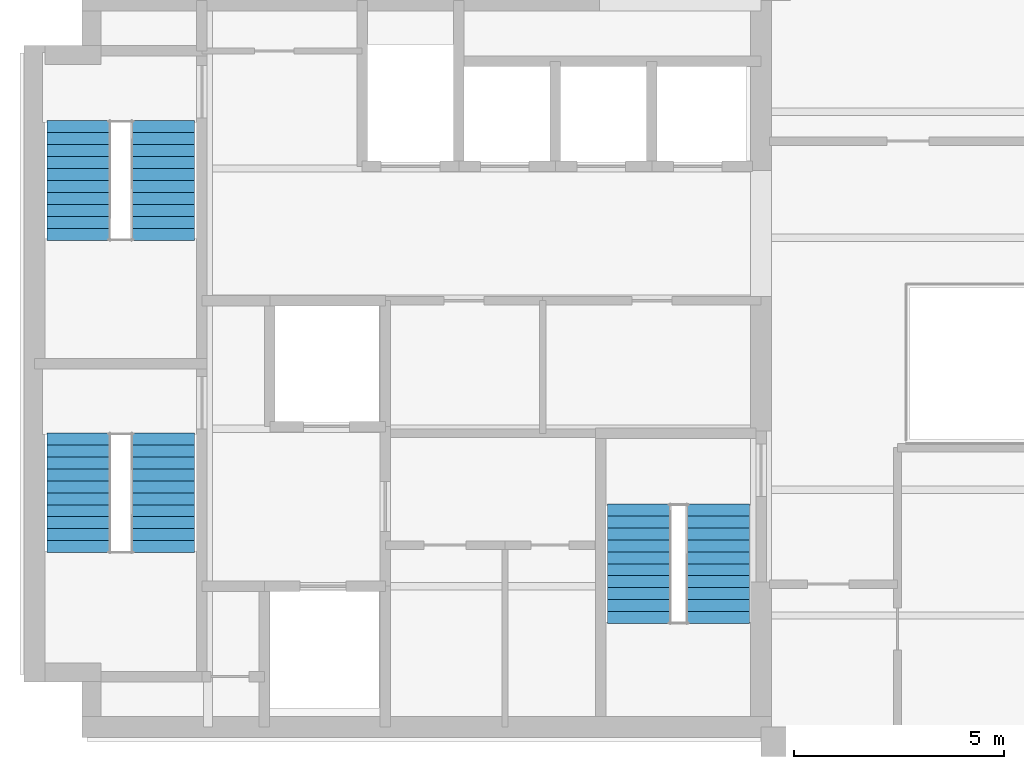
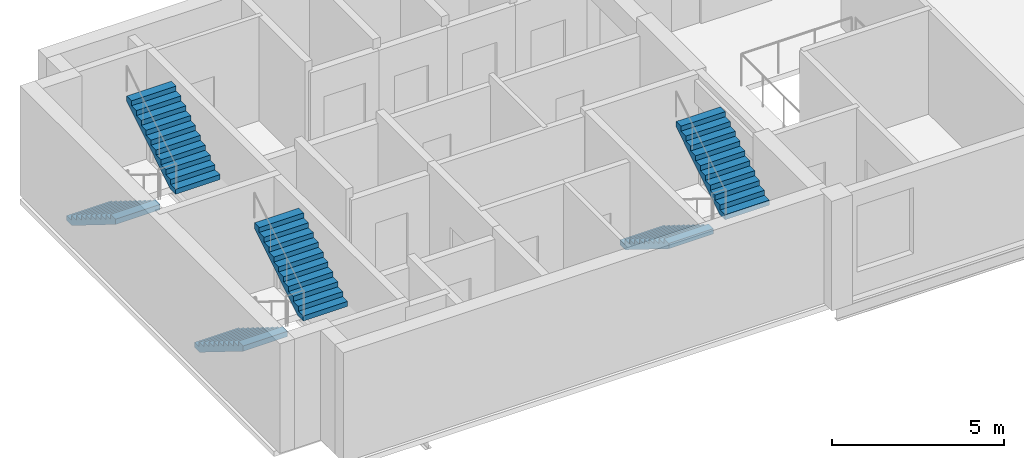
# One storey, part 4 of 5: 6 stair flights, 3 elements without a shape of their own.
"""IFC4 building model written with IfcOpenShell, lengths in metres."""

from ifc_helpers import new_model, si_unit, direction, frame, origin, place, context, subcontext, project, spatial, polyline, outline, extrude, material, type_object, element, aggregate, save


model = new_model("IFC4")

# Units and contexts
model_context = context("Model", 3, precision=1e-05, world=origin(), true_north=direction((0.0, 1.0)))
body_context = subcontext(model_context, "Body", "Model", "MODEL_VIEW")
ifc_project = project(units=[si_unit("LENGTHUNIT", "METRE"), si_unit("AREAUNIT", "SQUARE_METRE"), si_unit("VOLUMEUNIT", "CUBIC_METRE"), si_unit("PLANEANGLEUNIT", "RADIAN"), si_unit("MASSUNIT", "GRAM", prefix="KILO")], contexts=[model_context])

# Site, building, storey
site_placement = place(None, origin())
site = spatial("IfcSite", under=ifc_project, at=site_placement, CompositionType="ELEMENT")
building_placement = place(site_placement, origin())
building = spatial("IfcBuilding", under=site, at=building_placement, Name="Mawjdan Bourse Tower", CompositionType="ELEMENT")
storey_placement = place(building_placement, frame((0.0, 0.0, 305.39990234375)))
storey = spatial("IfcBuildingStorey", under=building, at=storey_placement, Name="L75", CompositionType="ELEMENT", Elevation=305.39990234375)

# Stair, stair flights
ifc_material = material(Name="Concrete C50/60", Category="concrete")
stair_type = type_object("IfcStairType", Name="STR-CORE-1500", PredefinedType="HALF_TURN_STAIR", material=ifc_material)
stair_1_placement = place(storey_placement, origin())
stair_1 = element("IfcStair", 1, at=stair_1_placement, inside=storey, type_object=stair_type, Name="L75 Exit Stair 1 (Core South-West)", PredefinedType="HALF_TURN_STAIR")
stair_flight_type = type_object("IfcStairFlightType", Name="SFL-RC-1500", PredefinedType="STRAIGHT", material=ifc_material)
stair_flight_1_placement = place(storey_placement, frame((7.389892578125, 10.35009765625, 0.0), z_axis=(0.0, 0.0, 1.0), x_axis=(0.0, -1.0, 0.0)))
stair_flight_1 = element("IfcStairFlight", 2, at=stair_flight_1_placement, type_object=stair_flight_type, Name="ST1-L75 flight 1", NumberOfRisers=11, NumberOfTreads=10, PredefinedType="STRAIGHT", RiserHeight=0.177273, TreadLength=0.285, context=body_context, shape_type="SweptSolid", body=[
    extrude(outline(polyline([(0.0, 0.0), (0.0, 0.17724609375), (0.284912109375, 0.17724609375), (0.284912109375, 0.3544921875), (0.570068359375, 0.3544921875), (0.570068359375, 0.53173828125), (0.85498046875, 0.53173828125), (0.85498046875, 0.708984375), (1.139892578125, 0.708984375), (1.139892578125, 0.886474609375), (1.425048828125, 0.886474609375), (1.425048828125, 1.063720703125), (1.7099609375, 1.063720703125), (1.7099609375, 1.240966796875), (1.9951171875, 1.240966796875), (1.9951171875, 1.418212890625), (2.280029296875, 1.418212890625), (2.280029296875, 1.595458984375), (2.56494140625, 1.595458984375), (2.56494140625, 1.772705078125), (2.85009765625, 1.772705078125), (2.85009765625, 1.949951171875), (2.85009765625, 1.58447265625), (0.302734375, 0.0), (0.0, 0.0)])), frame((0.0, 0.75, 0.0), z_axis=(0.0, -1.0, 0.0), x_axis=(1.0, 0.0, 0.0)), (0.0, 0.0, 1.0), 1.5),
])
stair_flight_2_placement = place(storey_placement, frame((9.409912109375, 7.5, 1.9501953125), z_axis=(0.0, 0.0, 1.0), x_axis=(0.0, 1.0, 0.0)))
stair_flight_2 = element("IfcStairFlight", 3, at=stair_flight_2_placement, type_object=stair_flight_type, Name="ST1-L75 flight 2", NumberOfRisers=11, NumberOfTreads=10, PredefinedType="STRAIGHT", RiserHeight=0.177273, TreadLength=0.285, context=body_context, shape_type="SweptSolid", body=[
    extrude(outline(polyline([(0.0, 0.0), (0.0, 0.17724609375), (0.284912109375, 0.17724609375), (0.284912109375, 0.3544921875), (0.570068359375, 0.3544921875), (0.570068359375, 0.53173828125), (0.85498046875, 0.53173828125), (0.85498046875, 0.708984375), (1.139892578125, 0.708984375), (1.139892578125, 0.886474609375), (1.425048828125, 0.886474609375), (1.425048828125, 1.063720703125), (1.7099609375, 1.063720703125), (1.7099609375, 1.240966796875), (1.9951171875, 1.240966796875), (1.9951171875, 1.418212890625), (2.280029296875, 1.418212890625), (2.280029296875, 1.595458984375), (2.56494140625, 1.595458984375), (2.56494140625, 1.772705078125), (2.85009765625, 1.772705078125), (2.85009765625, 1.949951171875), (2.85009765625, 1.58447265625), (0.302734375, 0.0), (0.0, 0.0)])), frame((0.0, 0.75, 0.0), z_axis=(0.0, -1.0, 0.0), x_axis=(1.0, 0.0, 0.0)), (0.0, 0.0, 1.0), 1.5),
])
aggregate(stair_1, [stair_flight_1, stair_flight_2])

stair_2_placement = place(storey_placement, origin())
stair_2 = element("IfcStair", 4, at=stair_2_placement, inside=storey, type_object=stair_type, Name="L75 Exit Stair 2 (Core North-West)", PredefinedType="HALF_TURN_STAIR")
stair_flight_3_placement = place(storey_placement, frame((7.389892578125, 17.7900390625, 0.0), z_axis=(0.0, 0.0, 1.0), x_axis=(0.0, -1.0, 0.0)))
stair_flight_3 = element("IfcStairFlight", 5, at=stair_flight_3_placement, type_object=stair_flight_type, Name="ST2-L75 flight 1", NumberOfRisers=11, NumberOfTreads=10, PredefinedType="STRAIGHT", RiserHeight=0.177273, TreadLength=0.285, context=body_context, shape_type="SweptSolid", body=[
    extrude(outline(polyline([(0.0, 0.0), (0.0, 0.17724609375), (0.284912109375, 0.17724609375), (0.284912109375, 0.3544921875), (0.570068359375, 0.3544921875), (0.570068359375, 0.53173828125), (0.85498046875, 0.53173828125), (0.85498046875, 0.708984375), (1.139892578125, 0.708984375), (1.139892578125, 0.886474609375), (1.425048828125, 0.886474609375), (1.425048828125, 1.063720703125), (1.7099609375, 1.063720703125), (1.7099609375, 1.240966796875), (1.9951171875, 1.240966796875), (1.9951171875, 1.418212890625), (2.280029296875, 1.418212890625), (2.280029296875, 1.595458984375), (2.56494140625, 1.595458984375), (2.56494140625, 1.772705078125), (2.85009765625, 1.772705078125), (2.85009765625, 1.949951171875), (2.85009765625, 1.58447265625), (0.302734375, 0.0), (0.0, 0.0)])), frame((0.0, 0.75, 0.0), z_axis=(0.0, -1.0, 0.0), x_axis=(1.0, 0.0, 0.0)), (0.0, 0.0, 1.0), 1.5),
])
stair_flight_4_placement = place(storey_placement, frame((9.409912109375, 14.93994140625, 1.9501953125), z_axis=(0.0, 0.0, 1.0), x_axis=(0.0, 1.0, 0.0)))
stair_flight_4 = element("IfcStairFlight", 6, at=stair_flight_4_placement, type_object=stair_flight_type, Name="ST2-L75 flight 2", NumberOfRisers=11, NumberOfTreads=10, PredefinedType="STRAIGHT", RiserHeight=0.177273, TreadLength=0.285, context=body_context, shape_type="SweptSolid", body=[
    extrude(outline(polyline([(0.0, 0.0), (0.0, 0.17724609375), (0.284912109375, 0.17724609375), (0.284912109375, 0.3544921875), (0.570068359375, 0.3544921875), (0.570068359375, 0.53173828125), (0.85498046875, 0.53173828125), (0.85498046875, 0.708984375), (1.139892578125, 0.708984375), (1.139892578125, 0.886474609375), (1.425048828125, 0.886474609375), (1.425048828125, 1.063720703125), (1.7099609375, 1.063720703125), (1.7099609375, 1.240966796875), (1.9951171875, 1.240966796875), (1.9951171875, 1.418212890625), (2.280029296875, 1.418212890625), (2.280029296875, 1.595458984375), (2.56494140625, 1.595458984375), (2.56494140625, 1.772705078125), (2.85009765625, 1.772705078125), (2.85009765625, 1.949951171875), (2.85009765625, 1.58447265625), (0.302734375, 0.0), (0.0, 0.0)])), frame((0.0, 0.75, 0.0), z_axis=(0.0, -1.0, 0.0), x_axis=(1.0, 0.0, 0.0)), (0.0, 0.0, 1.0), 1.5),
])
aggregate(stair_2, [stair_flight_3, stair_flight_4])

stair_3_placement = place(storey_placement, origin())
stair_3 = element("IfcStair", 7, at=stair_3_placement, inside=storey, type_object=stair_type, Name="L75 Exit Stair 7 (Core South-East)", PredefinedType="HALF_TURN_STAIR")
stair_flight_5_placement = place(storey_placement, frame((20.739990234375, 8.659912109375, 0.0), z_axis=(0.0, 0.0, 1.0), x_axis=(0.0, -1.0, 0.0)))
stair_flight_5 = element("IfcStairFlight", 8, at=stair_flight_5_placement, type_object=stair_flight_type, Name="ST7-L75 flight 1", NumberOfRisers=11, NumberOfTreads=10, PredefinedType="STRAIGHT", RiserHeight=0.177273, TreadLength=0.285, context=body_context, shape_type="SweptSolid", body=[
    extrude(outline(polyline([(0.0, 0.0), (0.0, 0.17724609375), (0.284912109375, 0.17724609375), (0.284912109375, 0.3544921875), (0.570068359375, 0.3544921875), (0.570068359375, 0.53173828125), (0.85498046875, 0.53173828125), (0.85498046875, 0.708984375), (1.139892578125, 0.708984375), (1.139892578125, 0.886474609375), (1.425048828125, 0.886474609375), (1.425048828125, 1.063720703125), (1.7099609375, 1.063720703125), (1.7099609375, 1.240966796875), (1.9951171875, 1.240966796875), (1.9951171875, 1.418212890625), (2.280029296875, 1.418212890625), (2.280029296875, 1.595458984375), (2.56494140625, 1.595458984375), (2.56494140625, 1.772705078125), (2.85009765625, 1.772705078125), (2.85009765625, 1.949951171875), (2.85009765625, 1.58447265625), (0.302734375, 0.0), (0.0, 0.0)])), frame((0.0, 0.75, 0.0), z_axis=(0.0, -1.0, 0.0), x_axis=(1.0, 0.0, 0.0)), (0.0, 0.0, 1.0), 1.5),
])
stair_flight_6_placement = place(storey_placement, frame((22.6298828125, 5.81005859375, 1.9501953125), z_axis=(0.0, 0.0, 1.0), x_axis=(0.0, 1.0, 0.0)))
stair_flight_6 = element("IfcStairFlight", 9, at=stair_flight_6_placement, type_object=stair_flight_type, Name="ST7-L75 flight 2", NumberOfRisers=11, NumberOfTreads=10, PredefinedType="STRAIGHT", RiserHeight=0.177273, TreadLength=0.285, context=body_context, shape_type="SweptSolid", body=[
    extrude(outline(polyline([(0.0, 0.0), (0.0, 0.17724609375), (0.284912109375, 0.17724609375), (0.284912109375, 0.3544921875), (0.570068359375, 0.3544921875), (0.570068359375, 0.53173828125), (0.85498046875, 0.53173828125), (0.85498046875, 0.708984375), (1.139892578125, 0.708984375), (1.139892578125, 0.886474609375), (1.425048828125, 0.886474609375), (1.425048828125, 1.063720703125), (1.7099609375, 1.063720703125), (1.7099609375, 1.240966796875), (1.9951171875, 1.240966796875), (1.9951171875, 1.418212890625), (2.280029296875, 1.418212890625), (2.280029296875, 1.595458984375), (2.56494140625, 1.595458984375), (2.56494140625, 1.772705078125), (2.85009765625, 1.772705078125), (2.85009765625, 1.949951171875), (2.85009765625, 1.58447265625), (0.302734375, 0.0), (0.0, 0.0)])), frame((0.0, 0.75, 0.0), z_axis=(0.0, -1.0, 0.0), x_axis=(1.0, 0.0, 0.0)), (0.0, 0.0, 1.0), 1.5),
])
aggregate(stair_3, [stair_flight_5, stair_flight_6])

save(model, "model.ifc")
